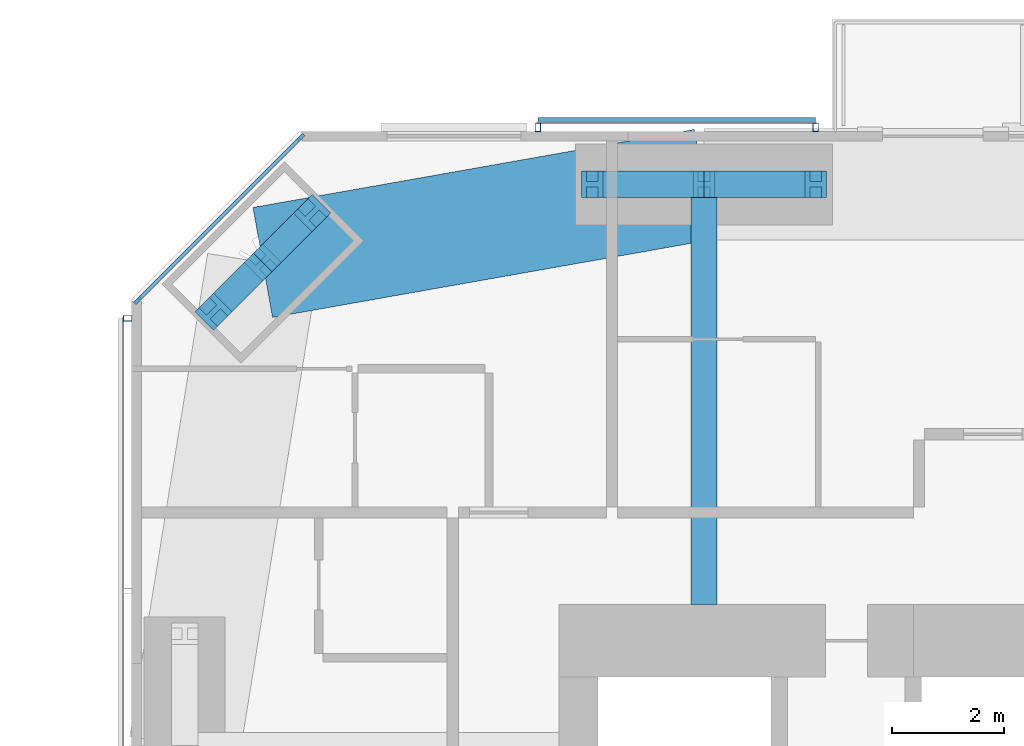
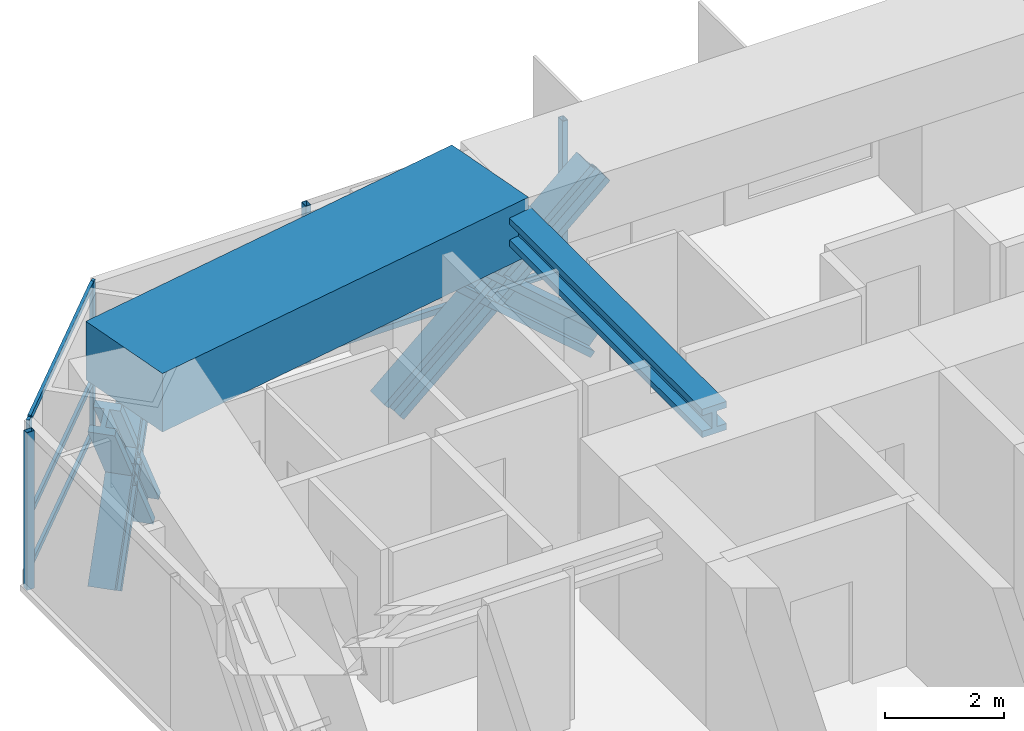
# One storey, part 10 of 22: 17 members, 2 beams, 3 elements without a shape of their own.
"""IFC4 building model written with IfcOpenShell, lengths in metres."""

from ifc_helpers import new_model, si_unit, direction, frame, origin, origin_2d, place, context, subcontext, project, spatial, rectangle, hollow_rectangle, i_section, extrude, material, material_profile, profile_set, type_object, element, aggregate, save


model = new_model("IFC4")

# Units and contexts
model_context = context("Model", 3, precision=1e-05, world=origin(), true_north=direction((0.0, 1.0)))
body_context = subcontext(model_context, "Body", "Model", "MODEL_VIEW")
ifc_project = project(units=[si_unit("LENGTHUNIT", "METRE"), si_unit("AREAUNIT", "SQUARE_METRE"), si_unit("VOLUMEUNIT", "CUBIC_METRE"), si_unit("PLANEANGLEUNIT", "RADIAN"), si_unit("MASSUNIT", "GRAM", prefix="KILO")], contexts=[model_context])

# Site, building, storey
site_placement = place(None, origin())
site = spatial("IfcSite", under=ifc_project, at=site_placement, CompositionType="ELEMENT")
building_placement = place(site_placement, origin())
building = spatial("IfcBuilding", under=site, at=building_placement, Name="Jalousie Tower", CompositionType="ELEMENT")
storey_placement = place(building_placement, frame((0.0, 0.0, 154.35009765625)))
storey = spatial("IfcBuildingStorey", under=building, at=storey_placement, Name="L41", CompositionType="ELEMENT", Elevation=154.35009765625)

# Curtain wall, members
ifc_material_1 = material(Name="Aluminium curtain wall", Category="aluminium")
curtain_wall_type_1 = type_object("IfcCurtainWallType", Name="CORNER WINDOW WALL", PredefinedType="USERDEFINED", material=ifc_material_1)
curtain_wall_1_placement = place(storey_placement, origin())
curtain_wall_1 = element("IfcCurtainWall", 1, at=curtain_wall_1_placement, inside=storey, type_object=curtain_wall_type_1, Name="Corner Window Wall L41 6", ObjectType="CORNER WINDOW WALL", PredefinedType="USERDEFINED")
ifc_material_2 = material(Name="Aluminium mullion", Category="aluminium")
ifc_material_profile_1 = material_profile(ifc_material_2, rectangle(XDim=0.06005859375, YDim=0.14990234375, at=origin_2d()), Name="MULLION 60x150")
ifc_profile_set_1 = profile_set([ifc_material_profile_1], Name="Aluminium mullion")
member_type_1 = type_object("IfcMemberType", Name="CORNER WINDOW WALL MULLION", PredefinedType="MULLION", material=ifc_profile_set_1)
member_1_placement = place(storey_placement, frame((15.030029296875, 35.891357421875, 0.0), z_axis=(0.0, 0.0, 1.0), x_axis=(0.707106781187, -0.707106781187, 0.0)))
member_1 = element("IfcMember", 2, at=member_1_placement, type_object=member_type_1, Name="CW-C mullion 1", PredefinedType="MULLION", context=body_context, shape_type="SweptSolid", body=[
    extrude(rectangle(XDim=0.06005859375, YDim=0.14990234375, at=origin_2d()), origin(), (0.0, 0.0, 1.0), 3.10986328125),
])
member_2_placement = place(storey_placement, frame((12.108642578125, 32.969970703125, 0.0), z_axis=(0.0, 0.0, 1.0), x_axis=(0.707106781187, -0.707106781187, 0.0)))
member_2 = element("IfcMember", 3, at=member_2_placement, type_object=member_type_1, Name="CW-C mullion 2", PredefinedType="MULLION", context=body_context, shape_type="SweptSolid", body=[
    extrude(rectangle(XDim=0.06005859375, YDim=0.14990234375, at=origin_2d()), origin(), (0.0, 0.0, 1.0), 3.10986328125),
])
ifc_material_3 = material(Name="Aluminium transom", Category="aluminium")
ifc_material_profile_2 = material_profile(ifc_material_3, rectangle(XDim=0.06005859375, YDim=0.1201171875, at=origin_2d()), Name="TRANSOM 60x120")
ifc_profile_set_2 = profile_set([ifc_material_profile_2], Name="Aluminium transom")
member_type_2 = type_object("IfcMemberType", Name="CORNER WINDOW WALL TRANSOM", PredefinedType="USERDEFINED", material=ifc_profile_set_2)
member_3_placement = place(storey_placement, frame((15.0087890625, 35.8701171875, 0.02978515625), z_axis=(-0.707106781187, -0.707106781187, 0.0), x_axis=(0.707106781187, -0.707106781187, 0.0)))
member_3 = element("IfcMember", 4, at=member_3_placement, type_object=member_type_2, Name="CW-C transom 1.1", ObjectType="TRANSOM", PredefinedType="USERDEFINED", context=body_context, shape_type="SweptSolid", body=[
    extrude(rectangle(XDim=0.06005859375, YDim=0.1201171875, at=origin_2d()), origin(), (0.0, 0.0, 1.0), 4.0712890625),
])
member_4_placement = place(storey_placement, frame((15.0087890625, 35.8701171875, 1.099853515625), z_axis=(-0.707106781187, -0.707106781187, 0.0), x_axis=(0.707106781187, -0.707106781187, 0.0)))
member_4 = element("IfcMember", 5, at=member_4_placement, type_object=member_type_2, Name="CW-C transom 1.2", ObjectType="TRANSOM", PredefinedType="USERDEFINED", context=body_context, shape_type="SweptSolid", body=[
    extrude(rectangle(XDim=0.06005859375, YDim=0.1201171875, at=origin_2d()), origin(), (0.0, 0.0, 1.0), 4.0712890625),
])
member_5_placement = place(storey_placement, frame((15.0087890625, 35.8701171875, 3.079833984375), z_axis=(-0.707106781187, -0.707106781187, 0.0), x_axis=(0.707106781187, -0.707106781187, 0.0)))
member_5 = element("IfcMember", 6, at=member_5_placement, type_object=member_type_2, Name="CW-C transom 1.3", ObjectType="TRANSOM", PredefinedType="USERDEFINED", context=body_context, shape_type="SweptSolid", body=[
    extrude(rectangle(XDim=0.06005859375, YDim=0.1201171875, at=origin_2d()), origin(), (0.0, 0.0, 1.0), 4.0712890625),
])
aggregate(curtain_wall_1, [member_1, member_2, member_3, member_4, member_5])

# Beam
ifc_material_4 = material(Name="Steel ASTM A992 Grade 50", Category="steel")
ifc_material_profile_3 = material_profile(ifc_material_4, i_section(OverallWidth=0.472412109375, OverallDepth=0.5791015625, WebThickness=0.094970703125, FlangeThickness=0.1298828125, at=origin_2d()), Name="W14X808")
ifc_profile_set_3 = profile_set([ifc_material_profile_3], Name="Steel ASTM A992 Grade 50")
beam_type_1 = type_object("IfcBeamType", Name="LEAN COLLECTOR W14X808", PredefinedType="BEAM", material=ifc_profile_set_3)
beam_1_placement = place(storey_placement, frame((22.25, 35.050048828125, 2.8203125), z_axis=(0.0, -1.0, 0.0), x_axis=(1.0, 0.0, 0.0)))
element("IfcBeam", 7, at=beam_1_placement, inside=storey, type_object=beam_type_1, Name="Lean collector under L42", PredefinedType="BEAM", context=body_context, shape_type="SweptSolid", body=[
    extrude(i_section(OverallWidth=0.472412109375, OverallDepth=0.5791015625, WebThickness=0.094970703125, FlangeThickness=0.1298828125, at=origin_2d()), origin(), (0.0, 0.0, 1.0), 7.525146484375),
])

# Members
ifc_material_5 = material(Name="Steel ASTM A992 Grade 50", Category="steel")
ifc_material_profile_4 = material_profile(ifc_material_5, i_section(OverallWidth=0.472412109375, OverallDepth=0.5791015625, WebThickness=0.094970703125, FlangeThickness=0.1298828125, at=origin_2d()), Name="W14X808")
ifc_profile_set_4 = profile_set([ifc_material_profile_4], Name="Steel ASTM A992 Grade 50")
member_type_3 = type_object("IfcMemberType", Name="PERIMETER BRACE W14X808", PredefinedType="BRACE", material=ifc_profile_set_4)
for number, where, z_axis, x_axis, name in (
    (8, (20.25, 35.050048828125, -0.75), (0.752576694707, 0.0, 0.658504607869), (0.0, 1.0, 0.0), "Perimeter brace 11 L41 part 1"),
    (9, (22.25, 35.050048828125, 1.0), (0.752576694707, 0.0, 0.658504607869), (0.0, 1.0, 0.0), "Perimeter brace 11 L41 part 2"),
    (10, (24.25, 35.050048828125, -0.75), (-0.752576694707, 0.0, 0.658504607869), (0.0, -1.0, 0.0), "Perimeter brace 11 L41 part 3"),
    (11, (22.25, 35.050048828125, 1.0), (-0.752576694707, 0.0, 0.658504607869), (0.0, -1.0, 0.0), "Perimeter brace 11 L41 part 4"),
):
    element("IfcMember", number, at=place(storey_placement, frame(where, z_axis=z_axis, x_axis=x_axis)), inside=storey, type_object=member_type_3, Name=name, PredefinedType="BRACE", context=body_context, shape_type="SweptSolid", body=[
        extrude(i_section(OverallWidth=0.472412109375, OverallDepth=0.5791015625, WebThickness=0.094970703125, FlangeThickness=0.1298828125, at=origin_2d()), origin(), (0.0, 0.0, 1.0), 2.657470703125),
    ])
for number, where, z_axis, x_axis, name in (
    (12, (15.232421875, 34.535400390625, -0.75), (-0.411062743107, -0.410949221222, 0.813724866774), (0.70700912125, -0.707204427637, 0.0), "Perimeter brace 12 L41 part 1"),
    (13, (14.348388671875, 33.651611328125, 1.0), (-0.410949221222, -0.411062743107, 0.813724866774), (0.707204427637, -0.70700912125, 0.0), "Perimeter brace 12 L41 part 2"),
    (14, (13.464599609375, 32.767578125, -0.75), (0.410949221222, 0.411062743107, 0.813724866774), (-0.707204427637, 0.70700912125, 0.0), "Perimeter brace 12 L41 part 3"),
    (15, (14.348388671875, 33.651611328125, 1.0), (0.411062743107, 0.410949221222, 0.813724866774), (-0.70700912125, 0.707204427637, 0.0), "Perimeter brace 12 L41 part 4"),
):
    element("IfcMember", number, at=place(storey_placement, frame(where, z_axis=z_axis, x_axis=x_axis)), inside=storey, type_object=member_type_3, Name=name, PredefinedType="BRACE", context=body_context, shape_type="SweptSolid", body=[
        extrude(i_section(OverallWidth=0.472412109375, OverallDepth=0.5791015625, WebThickness=0.094970703125, FlangeThickness=0.1298828125, at=origin_2d()), origin(), (0.0, 0.0, 1.0), 2.150634765625),
    ])

# Beam
ifc_material_6 = material(Name="Concrete f'c 40 MPa", Category="concrete")
ifc_material_profile_5 = material_profile(ifc_material_6, rectangle(XDim=2.0, YDim=1.199951171875, at=origin_2d()), Name="RC 2000x1200")
ifc_profile_set_5 = profile_set([ifc_material_profile_5], Name="Concrete f'c 40 MPa")
beam_type_2 = type_object("IfcBeamType", Name="RC BEAM 2000x1200", PredefinedType="BEAM", material=ifc_profile_set_5)
beam_2_placement = place(storey_placement, frame((22.25, 35.050048828125, 2.75), z_axis=(-0.984697370688, -0.174273027632, 0.0), x_axis=(0.174273027632, -0.984697370688, 0.0)))
element("IfcBeam", 16, at=beam_2_placement, inside=storey, type_object=beam_type_2, Name="Edge band beam 11-12 under L42", PredefinedType="BEAM", context=body_context, shape_type="SweptSolid", body=[
    extrude(rectangle(XDim=2.0, YDim=1.199951171875, at=origin_2d()), origin(), (0.0, 0.0, 1.0), 8.0244140625),
])

# Curtain wall, members
ifc_material_7 = material(Name="Perforated aluminium sheet", Category="aluminium")
curtain_wall_type_2 = type_object("IfcCurtainWallType", Name="SOLAR SCREEN SS-1", PredefinedType="USERDEFINED", material=ifc_material_7)
curtain_wall_2_placement = place(storey_placement, origin())
curtain_wall_2 = element("IfcCurtainWall", 17, at=curtain_wall_2_placement, inside=storey, type_object=curtain_wall_type_2, Name="Solar screen L41", ObjectType="SOLAR SCREEN SS-1", PredefinedType="USERDEFINED")
ifc_material_8 = material(Name="Steel ASTM A500 Grade C", Category="steel")
ifc_material_profile_6 = material_profile(ifc_material_8, hollow_rectangle(XDim=0.1015625, YDim=0.15234375, WallThickness=0.00634765625, at=origin_2d()), Name="HSS6X4X1/4")
ifc_profile_set_6 = profile_set([ifc_material_profile_6], Name="Steel ASTM A500 Grade C")
member_type_4 = type_object("IfcMemberType", Name="SOLAR SCREEN SS-1 MULLION", PredefinedType="MULLION", material=ifc_profile_set_6)
member_6_placement = place(storey_placement, frame((24.25, 36.0712890625, -0.1201171875), z_axis=(0.0, 0.0, 1.0), x_axis=(-1.0, 0.0, 0.0)))
member_6 = element("IfcMember", 18, at=member_6_placement, type_object=member_type_4, Name="SS1 post 1", PredefinedType="MULLION", context=body_context, shape_type="SweptSolid", body=[
    extrude(hollow_rectangle(XDim=0.1015625, YDim=0.15234375, WallThickness=0.00634765625, at=origin_2d()), origin(), (0.0, 0.0, 1.0), 3.22998046875),
])
member_7_placement = place(storey_placement, frame((19.275634765625, 36.0712890625, -0.1201171875), z_axis=(0.0, 0.0, 1.0), x_axis=(-1.0, 0.0, 0.0)))
member_7 = element("IfcMember", 19, at=member_7_placement, type_object=member_type_4, Name="SS1 post 2", PredefinedType="MULLION", context=body_context, shape_type="SweptSolid", body=[
    extrude(hollow_rectangle(XDim=0.1015625, YDim=0.15234375, WallThickness=0.00634765625, at=origin_2d()), origin(), (0.0, 0.0, 1.0), 3.22998046875),
])

# Curtain wall, member
curtain_wall_3_placement = place(storey_placement, origin())
curtain_wall_3 = element("IfcCurtainWall", 20, at=curtain_wall_3_placement, inside=storey, type_object=curtain_wall_type_2, Name="Solar screen L41", ObjectType="SOLAR SCREEN SS-1", PredefinedType="USERDEFINED")
member_8_placement = place(storey_placement, frame((11.9287109375, 32.648681640625, -0.1201171875), z_axis=(0.0, 0.0, 1.0), x_axis=(0.0, -1.0, 0.0)))
member_8 = element("IfcMember", 21, at=member_8_placement, type_object=member_type_4, Name="SS1 post 1", PredefinedType="MULLION", context=body_context, shape_type="SweptSolid", body=[
    extrude(hollow_rectangle(XDim=0.1015625, YDim=0.15234375, WallThickness=0.00634765625, at=origin_2d()), origin(), (0.0, 0.0, 1.0), 3.22998046875),
])
aggregate(curtain_wall_3, [member_8])

# Member
ifc_material_9 = material(Name="Extruded aluminium screen rail", Category="aluminium")
ifc_material_profile_7 = material_profile(ifc_material_9, rectangle(XDim=0.1015625, YDim=0.1201171875, at=origin_2d()), Name="RAIL 102x120")
ifc_profile_set_7 = profile_set([ifc_material_profile_7], Name="Extruded aluminium screen rail")
member_type_5 = type_object("IfcMemberType", Name="SOLAR SCREEN SS-1 TRANSOM", PredefinedType="USERDEFINED", material=ifc_profile_set_7)
member_9_placement = place(storey_placement, frame((24.25, 36.1982421875, -0.06005859375), z_axis=(-1.0, 0.0, 0.0), x_axis=(0.0, -1.0, 0.0)))
member_9 = element("IfcMember", 22, at=member_9_placement, type_object=member_type_5, Name="SS1 rail", ObjectType="TRANSOM", PredefinedType="USERDEFINED", context=body_context, shape_type="SweptSolid", body=[
    extrude(rectangle(XDim=0.1015625, YDim=0.1201171875, at=origin_2d()), origin(), (0.0, 0.0, 1.0), 4.974365234375),
])

aggregate(curtain_wall_2, [member_6, member_7, member_9])

save(model, "model.ifc")
